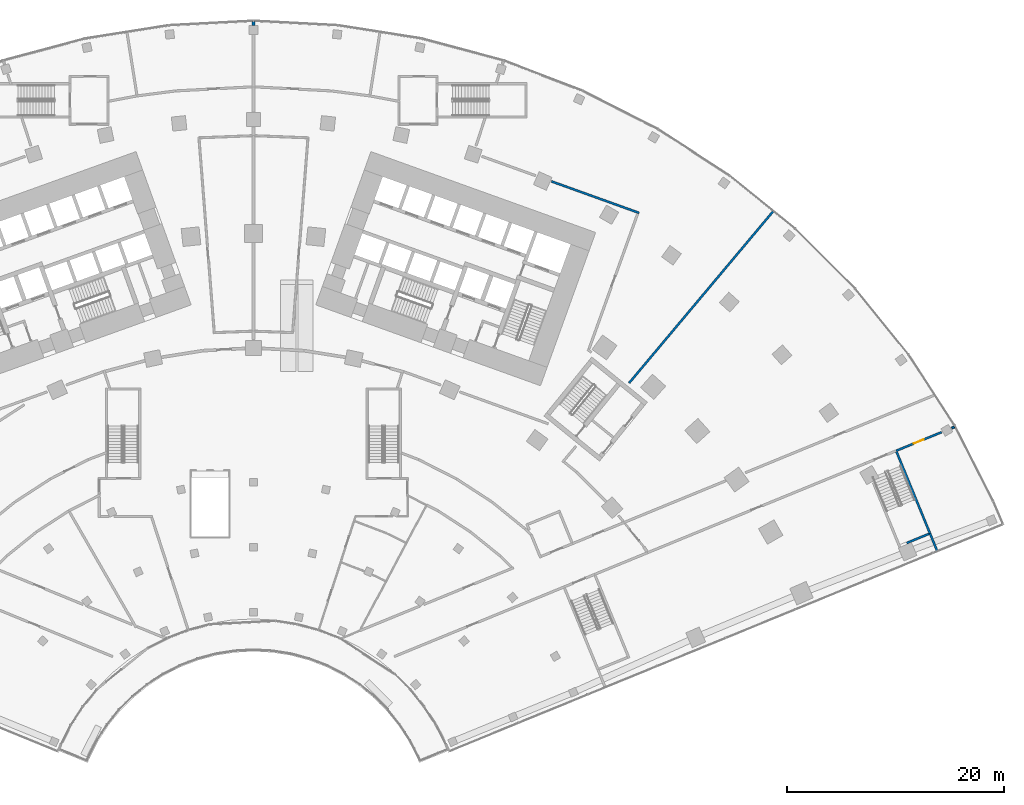
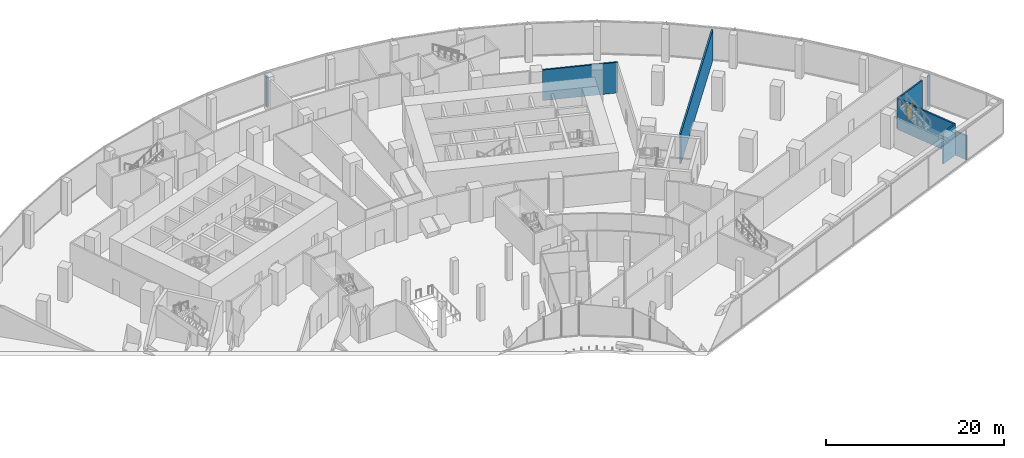
# One storey, part 29 of 40: 8 walls, 1 door, 1 opening.
"""IFC4 building model written with IfcOpenShell, lengths in metres."""

from ifc_helpers import new_model, si_unit, direction, frame, frame_2d, origin, place, context, subcontext, project, spatial, rectangle, extrude, material, layer, layer_set, type_object, element, fill, save


model = new_model("IFC4")

# Units and contexts
model_context = context("Model", 3, precision=1e-05, world=origin(), true_north=direction((0.0, 1.0)))
body_context = subcontext(model_context, "Body", "Model", "MODEL_VIEW")
ifc_project = project(units=[si_unit("LENGTHUNIT", "METRE"), si_unit("AREAUNIT", "SQUARE_METRE"), si_unit("VOLUMEUNIT", "CUBIC_METRE"), si_unit("PLANEANGLEUNIT", "RADIAN"), si_unit("MASSUNIT", "GRAM", prefix="KILO")], contexts=[model_context])

# Site, building, storey
site_placement = place(None, origin())
site = spatial("IfcSite", under=ifc_project, at=site_placement, CompositionType="ELEMENT")
building_placement = place(site_placement, origin())
building = spatial("IfcBuilding", under=site, at=building_placement, Name="Stone Belt Terrace Tower", CompositionType="ELEMENT")
storey_placement = place(building_placement, frame((0.0, 0.0, 7.0)))
storey = spatial("IfcBuildingStorey", under=building, at=storey_placement, Name="L01", CompositionType="ELEMENT", Elevation=7.0)

# Walls
ifc_material_1 = material(Name="Concrete B30", Category="concrete")
ifc_layer_1 = layer(ifc_material_1, 0.25)
ifc_layer_set_1 = layer_set([ifc_layer_1], Name="Compartment wall 250")
wall_type_1 = type_object("IfcWallType", Name="Compartment wall 250", PredefinedType="SOLIDWALL", material=ifc_layer_set_1)
wall_1_placement = place(storey_placement, frame((0.0, 74.14794921875, 0.0), z_axis=(0.0, 0.0, 1.0), x_axis=(0.0, 1.0, 0.0)))
element("IfcWall", 1, at=wall_1_placement, inside=storey, type_object=wall_type_1, Name="Compartment wall L01 10", PredefinedType="SOLIDWALL", context=body_context, shape_type="SweptSolid", body=[
    extrude(rectangle(XDim=0.35205078125, YDim=0.25, at=frame_2d((0.176025390625, 0.0))), origin(), (0.0, 0.0, 1.0), 4.199951171875),
])
ifc_material_2 = material(Name="Blockwork wall, plastered both faces", Category="masonry")
ifc_layer_2 = layer(ifc_material_2, 0.199951171875)
ifc_layer_set_2 = layer_set([ifc_layer_2], Name="Podium demising wall 200")
wall_type_2 = type_object("IfcWallType", Name="Podium demising wall 200", PredefinedType="PARTITIONING", material=ifc_layer_set_2)
wall_2_placement = place(storey_placement, frame((27.44580078125, 59.78857421875, 0.0), z_axis=(0.0, 0.0, 1.0), x_axis=(0.940971591523, -0.338485544663, 0.0)))
element("IfcWall", 2, at=wall_2_placement, inside=storey, type_object=wall_type_2, Name="Podium demising wall 200", PredefinedType="PARTITIONING", context=body_context, shape_type="SweptSolid", body=[
    extrude(rectangle(XDim=8.574462890625, YDim=0.199951171875, at=frame_2d((4.287109375, 0.0))), origin(), (0.0, 0.0, 1.0), 4.199951171875),
])
wall_3_placement = place(storey_placement, frame((34.590087890625, 41.219970703125, 0.0), z_axis=(0.0, 0.0, 1.0), x_axis=(0.642757500432, 0.766069706775, 0.0)))
element("IfcWall", 3, at=wall_3_placement, inside=storey, type_object=wall_type_2, Name="Podium demising wall 200", PredefinedType="PARTITIONING", context=body_context, shape_type="SweptSolid", body=[
    extrude(rectangle(XDim=20.689453125, YDim=0.199951171875, at=frame_2d((10.3447265625, 0.0))), origin(), (0.0, 0.0, 1.0), 4.199951171875),
])

# Wall, opening, door
wall_4_placement = place(storey_placement, frame((59.18017578125, 34.97998046875, 0.0), z_axis=(0.0, 0.0, 1.0), x_axis=(0.925603654014, 0.378494221458, 0.0)))
wall_4 = element("IfcWall", 4, at=wall_4_placement, inside=storey, type_object=wall_type_2, Name="Podium demising wall 200", PredefinedType="PARTITIONING", context=body_context, shape_type="SweptSolid", body=[
    extrude(rectangle(XDim=4.526123046875, YDim=0.199951171875, at=frame_2d((2.26318359375, 0.0))), origin(), (0.0, 0.0, 1.0), 4.199951171875),
])
opening_placement = place(wall_4_placement, frame((1.76318359375, 0.0, 0.0)))
opening = element("IfcOpeningElement", 5, at=opening_placement, cuts=wall_4, Name="Opening L01-P22", PredefinedType="OPENING", context=body_context, shape_type="SweptSolid", body=[
    extrude(rectangle(XDim=1.0, YDim=2.10009765625, at=frame_2d((0.5, 1.050048828125))), frame((0.0, 0.10986328125, 0.0), z_axis=(0.0, -1.0, 0.0), x_axis=(1.0, 0.0, 0.0)), (0.0, 0.0, 1.0), 0.219970703125),
])
ifc_material_3 = material(Name="Steel framed door leaf", Category="steel")
door_type = type_object("IfcDoorType", Name="Podium door single 1000", OperationType="SINGLE_SWING_LEFT", PredefinedType="DOOR", material=ifc_material_3)
door_placement = place(opening_placement, origin())
door = element("IfcDoor", 6, at=door_placement, inside=storey, type_object=door_type, Name="Podium door single 1000", OperationType="SINGLE_SWING_RIGHT", OverallHeight=2.10009765625, OverallWidth=1.0, PredefinedType="DOOR", context=body_context, shape_type="SweptSolid", body=[
    extrude(rectangle(XDim=1.0, YDim=2.10009765625, at=frame_2d((0.5, 1.050048828125))), frame((0.0, 0.02490234375, 0.0), z_axis=(0.0, -1.0, 0.0), x_axis=(1.0, 0.0, 0.0)), (0.0, 0.0, 1.0), 0.050048828125),
])
fill(opening, door)

# Walls
wall_5_placement = place(storey_placement, frame((64.312744140625, 37.078857421875, 0.0), z_axis=(0.0, 0.0, 1.0), x_axis=(0.92567790555, 0.378312589238, 0.0)))
element("IfcWall", 7, at=wall_5_placement, inside=storey, type_object=wall_type_2, Name="Podium demising wall 200", PredefinedType="PARTITIONING", context=body_context, shape_type="SweptSolid", body=[
    extrude(rectangle(XDim=0.26708984375, YDim=0.199951171875, at=frame_2d((0.133544921875, 0.0))), origin(), (0.0, 0.0, 1.0), 4.199951171875),
])
wall_6_placement = place(storey_placement, frame((62.300048828125, 27.369873046875, 0.0), z_axis=(0.0, 0.0, 1.0), x_axis=(0.377466142262, -0.926023386015, 0.0)))
element("IfcWall", 8, at=wall_6_placement, inside=storey, type_object=wall_type_2, Name="Podium demising wall 200", PredefinedType="PARTITIONING", context=body_context, shape_type="SweptSolid", body=[
    extrude(rectangle(XDim=1.6953125, YDim=0.199951171875, at=frame_2d((0.84765625, 0.0))), origin(), (0.0, 0.0, 1.0), 3.300048828125),
])
ifc_layer_3 = layer(ifc_material_1, 0.199951171875)
ifc_layer_set_3 = layer_set([ifc_layer_3], Name="Podium stair and shaft wall 200")
wall_type_3 = type_object("IfcWallType", Name="Podium stair and shaft wall 200", PredefinedType="SOLIDWALL", material=ifc_layer_set_3)
wall_7_placement = place(storey_placement, frame((59.218017578125, 34.887451171875, 0.0), z_axis=(0.0, 0.0, 1.0), x_axis=(0.379345306329, -0.925255174839, 0.0)))
element("IfcWall", 9, at=wall_7_placement, inside=storey, type_object=wall_type_3, Name="Podium stair and shaft wall 200", PredefinedType="SOLIDWALL", context=body_context, shape_type="SweptSolid", body=[
    extrude(rectangle(XDim=8.12451171875, YDim=0.199951171875, at=frame_2d((4.062255859375, 0.0))), origin(), (0.0, 0.0, 1.0), 4.199951171875),
])
wall_8_placement = place(storey_placement, frame((60.163818359375, 26.4912109375, 0.0), z_axis=(0.0, 0.0, 1.0), x_axis=(0.924790168115, 0.380477522278, 0.0)))
element("IfcWall", 10, at=wall_8_placement, inside=storey, type_object=wall_type_3, Name="Podium stair and shaft wall 200", PredefinedType="SOLIDWALL", context=body_context, shape_type="SweptSolid", body=[
    extrude(rectangle(XDim=2.2099609375, YDim=0.199951171875, at=frame_2d((1.10498046875, 0.0))), origin(), (0.0, 0.0, 1.0), 4.199951171875),
])

save(model, "model.ifc")
